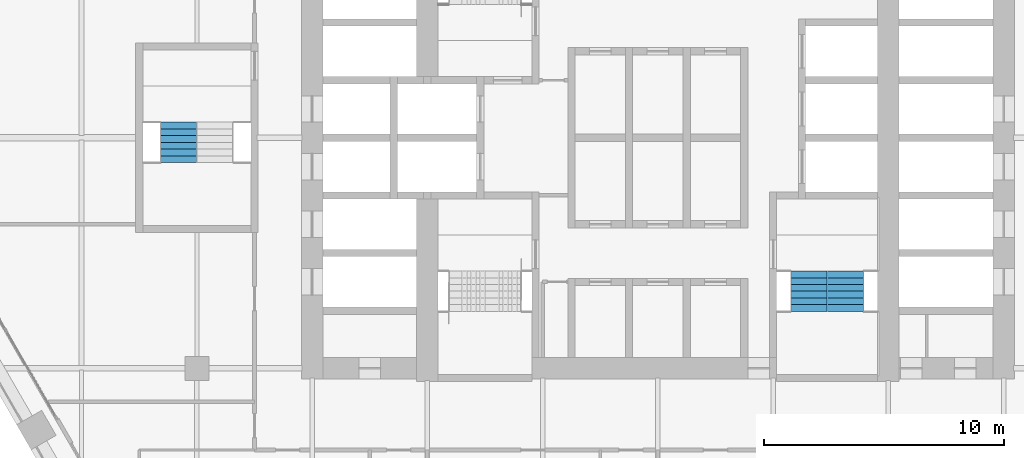
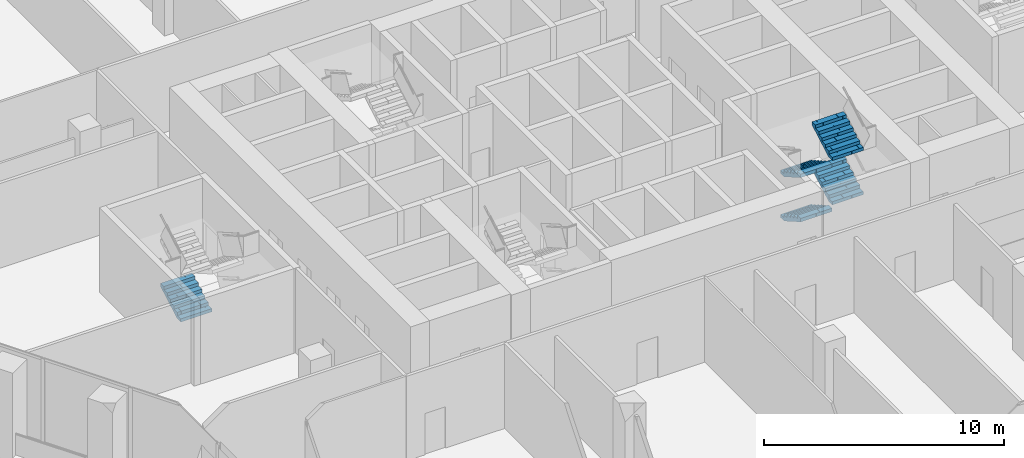
# One storey, part 19 of 25: 5 stair flights, 2 elements without a shape of their own.
"""IFC4 building model written with IfcOpenShell, lengths in metres."""

import ifcopenshell
import ifcopenshell.guid

model = None  # the IFC model being written
_history = None  # IfcOwnerHistory: only IFC2X3 demands one
_inside = {}  # id of a spatial element -> (the spatial element, [elements in it])
_under = {}  # id of a project, library or spatial element -> (it, [spatial elements below it])
_declared = {}  # id of a project -> (the project, [libraries it declares])
_typed = {}  # id of a type object -> (the type object, [elements of that type])
_made_of = {}  # id of a material, layer set ... -> (it, [elements and type objects made of it])


def new_model(schema):
    """Start an empty IFC model of exactly this schema.

    Asked for "IFC4X3", IfcOpenShell would pick the latest addendum, in which some entities
    have other attributes; the version numbers below select the first issue.
    IFC2X3 requires an IfcOwnerHistory on every rooted entity: one is made here for all.
    """
    global model, _history
    if schema == "IFC4X3":
        model = ifcopenshell.file(schema_version=(4, 3, 0, 0))
    else:
        model = ifcopenshell.file(schema=schema)
    _inside.clear()
    _under.clear()
    _declared.clear()
    _typed.clear()
    _made_of.clear()
    _history = None
    if model.schema == "IFC2X3":
        org = make("IfcOrganization", Name="unknown")
        user = make(
            "IfcPersonAndOrganization",
            ThePerson=make("IfcPerson", FamilyName="unknown"),
            TheOrganization=org,
        )
        app = make(
            "IfcApplication",
            ApplicationDeveloper=org,
            Version="unknown",
            ApplicationFullName="unknown",
            ApplicationIdentifier="unknown",
        )
        _history = make(
            "IfcOwnerHistory",
            OwningUser=user,
            OwningApplication=app,
            ChangeAction="ADDED",
            CreationDate=0,
        )
    return model


def make(cls, **values):
    """One entity of the class cls with the attributes given. An attribute that is None is left unset."""
    return model.create_entity(
        cls, **{name: value for name, value in values.items() if value is not None}
    )


def rooted(cls, **values):
    """An entity with a GlobalId (a new one), such as an element, a storey or a relation."""
    return make(cls, GlobalId=ifcopenshell.guid.new(), OwnerHistory=_history, **values)


def si_unit(unit_type, name, prefix=None):
    """IfcSIUnit, for example si_unit("LENGTHUNIT", "METRE", prefix="MILLI")."""
    return make("IfcSIUnit", UnitType=unit_type, Prefix=prefix, Name=name)


def assignment(units):
    """IfcUnitAssignment: the units of a project."""
    return None if units is None else make("IfcUnitAssignment", Units=units)


def point(xyz):
    """IfcCartesianPoint."""
    return None if xyz is None else make("IfcCartesianPoint", Coordinates=xyz)


def direction(xyz):
    """IfcDirection."""
    return None if xyz is None else make("IfcDirection", DirectionRatios=xyz)


def frame(location, z_axis=None, x_axis=None):
    """IfcAxis2Placement3D, a coordinate frame: its origin and axes. An axis left out is left unset."""
    return make(
        "IfcAxis2Placement3D",
        Location=point(location),
        Axis=direction(z_axis),
        RefDirection=direction(x_axis),
    )


def origin():
    """The frame at (0, 0, 0) with its axes left unset."""
    return frame((0.0, 0.0, 0.0))


def place(relative_to, where):
    """IfcLocalPlacement: puts the frame where relative to a parent placement (None: the world)."""
    return make(
        "IfcLocalPlacement", PlacementRelTo=relative_to, RelativePlacement=where
    )


def context(
    kind, dimensions, precision=None, world=None, true_north=None, identifier=None
):
    """IfcGeometricRepresentationContext, for example the 3D "Model" context."""
    return make(
        "IfcGeometricRepresentationContext",
        ContextIdentifier=identifier,
        ContextType=kind,
        CoordinateSpaceDimension=dimensions,
        Precision=precision,
        WorldCoordinateSystem=world,
        TrueNorth=true_north,
    )


def subcontext(parent, identifier, kind, view, scale=None):
    """IfcGeometricRepresentationSubContext, for example "Body" below "Model"."""
    return make(
        "IfcGeometricRepresentationSubContext",
        ContextIdentifier=identifier,
        ContextType=kind,
        ParentContext=parent,
        TargetScale=scale,
        TargetView=view,
    )


def project(units=None, contexts=None):
    """IfcProject with its units and contexts."""
    return rooted(
        "IfcProject",
        Name="project",
        RepresentationContexts=contexts,
        UnitsInContext=assignment(units),
    )


def spatial(cls, under=None, at=None, **own):
    """A site, building, storey or space (cls), placed at a placement, below another one or the project."""
    s = rooted(cls, ObjectPlacement=at, **own)
    if under is not None:
        _under.setdefault(under.id(), (under, []))[1].append(s)
    return s


def polyline(points):
    """IfcPolyline through the points."""
    return make("IfcPolyline", Points=[point(p) for p in points])


def outline(outer, holes=None, kind="AREA"):
    """IfcArbitraryClosedProfileDef: a profile drawn as a closed curve; with holes, ...WithVoids."""
    if holes is None:
        return make("IfcArbitraryClosedProfileDef", ProfileType=kind, OuterCurve=outer)
    return make(
        "IfcArbitraryProfileDefWithVoids",
        ProfileType=kind,
        OuterCurve=outer,
        InnerCurves=holes,
    )


def extrude(swept, where, along, depth):
    """IfcExtrudedAreaSolid: the profile swept, set in the frame where, extruded along a direction by depth."""
    return make(
        "IfcExtrudedAreaSolid",
        SweptArea=swept,
        Position=where,
        ExtrudedDirection=direction(along),
        Depth=depth,
    )


def shape(context_of_items, identifier, shape_type, items):
    """IfcShapeRepresentation: the items that make up one representation, for example the "Body"."""
    return make(
        "IfcShapeRepresentation",
        ContextOfItems=context_of_items,
        RepresentationIdentifier=identifier,
        RepresentationType=shape_type,
        Items=items,
    )


def material(Name=None, Category=None):
    """IfcMaterial."""
    return make("IfcMaterial", Name=Name, Category=Category)


def made_of(thing, what):
    """Note that an element or type object is made of a material, layer set ...; save() writes the relation."""
    if what is not None:
        _made_of.setdefault(what.id(), (what, []))[1].append(thing)
    return thing


def type_object(cls, material=None, **own):
    """A type object (cls), such as IfcWallType, which elements share."""
    return made_of(rooted(cls, **own), material)


def element(
    cls,
    number,
    at=None,
    inside=None,
    cuts=None,
    type_object=None,
    material=None,
    context=None,
    identifier="Body",
    shape_type=None,
    held_by="IfcProductDefinitionShape",
    body=None,
    shapes=None,
    **own,
):
    """One element of the class cls, such as IfcWall. Its Tag is "e" and its number.

    at: its placement. inside: the storey or other place that contains it. cuts: it is an
    opening in that element (IfcRelVoidsElement). A single representation is given by context,
    identifier, shape_type and body (its items); several are given by shapes. held_by: the class
    of the entity that holds the representations. save() writes the other relations.
    """
    e = rooted(cls, Tag="e%d" % number, ObjectPlacement=at, **own)
    if body is not None:
        shapes = [shape(context, identifier, shape_type, body)]
    if shapes is not None:
        e.Representation = make(held_by, Representations=shapes)
    if inside is not None:
        _inside.setdefault(inside.id(), (inside, []))[1].append(e)
    if cuts is not None:
        rooted(
            "IfcRelVoidsElement", RelatingBuildingElement=cuts, RelatedOpeningElement=e
        )
    if type_object is not None:
        _typed.setdefault(type_object.id(), (type_object, []))[1].append(e)
    return made_of(e, material)


def aggregate(whole, parts):
    """IfcRelAggregates: a whole, such as a stair, and the parts it consists of."""
    return rooted("IfcRelAggregates", RelatingObject=whole, RelatedObjects=parts)


def save(model, path):
    """Write the relations noted so far, then the file.

    IfcRelAggregates (storeys below a building ...), IfcRelContainedInSpatialStructure (elements
    in a storey), IfcRelDefinesByType, IfcRelAssociatesMaterial and IfcRelDeclares: one each for
    every whole, place, type object, material and project.
    """
    for whole, parts in _under.values():
        aggregate(whole, parts)
    for where, things in _inside.values():
        rooted(
            "IfcRelContainedInSpatialStructure",
            RelatedElements=things,
            RelatingStructure=where,
        )
    for kind, things in _typed.values():
        rooted("IfcRelDefinesByType", RelatedObjects=things, RelatingType=kind)
    for what, things in _made_of.values():
        rooted("IfcRelAssociatesMaterial", RelatedObjects=things, RelatingMaterial=what)
    for by, libraries in _declared.values():
        rooted("IfcRelDeclares", RelatingContext=by, RelatedDefinitions=libraries)
    model.write(path)


model = new_model("IFC4")

# Units and contexts
model_context = context("Model", 3, precision=1e-05, world=origin(), true_north=direction((0.0, 1.0)))
body_context = subcontext(model_context, "Body", "Model", "MODEL_VIEW")
ifc_project = project(units=[si_unit("LENGTHUNIT", "METRE"), si_unit("AREAUNIT", "SQUARE_METRE"), si_unit("VOLUMEUNIT", "CUBIC_METRE"), si_unit("PLANEANGLEUNIT", "RADIAN"), si_unit("MASSUNIT", "GRAM", prefix="KILO")], contexts=[model_context])

# Site, building, storey
site_placement = place(None, origin())
site = spatial("IfcSite", under=ifc_project, at=site_placement, CompositionType="ELEMENT")
building_placement = place(site_placement, origin())
building = spatial("IfcBuilding", under=site, at=building_placement, Name="Kolab Exchange Tower", CompositionType="ELEMENT")
storey_placement = place(building_placement, frame((0.0, 0.0, 91.39990234375)))
storey = spatial("IfcBuildingStorey", under=building, at=storey_placement, Name="L17", CompositionType="ELEMENT", Elevation=91.39990234375)

# Stair, stair flights
ifc_material = material(Name="Concrete C50/60", Category="concrete")
stair_type_1 = type_object("IfcStairType", Name="STAIR ST2 RISER 160.7", PredefinedType="DOUBLE_RETURN_STAIR", material=ifc_material)
stair_1_placement = place(storey_placement, origin())
stair_1 = element("IfcStair", 1, at=stair_1_placement, inside=storey, type_object=stair_type_1, Name="Stair 2", PredefinedType="DOUBLE_RETURN_STAIR")
stair_flight_type = type_object("IfcStairFlightType", Name="STAIR FLIGHT 1500 RISER 160.7", PredefinedType="STRAIGHT", material=ifc_material)
stair_flight_1_placement = place(storey_placement, frame((6.2900390625, -5.550048828125, 0.0), z_axis=(0.0, 0.0, 1.0), x_axis=(0.0, -1.0, 0.0)))
stair_flight_1 = element("IfcStairFlight", 2, at=stair_flight_1_placement, type_object=stair_flight_type, Name="ST2 flight 1", NumberOfRisers=7, NumberOfTreads=6, PredefinedType="STRAIGHT", RiserHeight=0.160714286, TreadLength=0.28, context=body_context, shape_type="SweptSolid", body=[
    extrude(outline(polyline([(0.0, 0.0), (0.0, 0.16064453125), (0.280029296875, 0.16064453125), (0.280029296875, 0.321533203125), (0.56005859375, 0.321533203125), (0.56005859375, 0.482177734375), (0.840087890625, 0.482177734375), (0.840087890625, 0.642822265625), (1.1201171875, 0.642822265625), (1.1201171875, 0.803466796875), (1.39990234375, 0.803466796875), (1.39990234375, 0.96435546875), (1.679931640625, 0.96435546875), (1.679931640625, 1.125), (1.679931640625, 0.79150390625), (0.301025390625, 0.0), (0.0, 0.0)])), frame((0.0, 0.75, 0.0), z_axis=(0.0, -1.0, 0.0), x_axis=(1.0, 0.0, 0.0)), (0.0, 0.0, 1.0), 0.185791015625),
    extrude(outline(polyline([(0.0, 0.0), (0.0, 0.16064453125), (0.280029296875, 0.16064453125), (0.280029296875, 0.321533203125), (0.56005859375, 0.321533203125), (0.56005859375, 0.482177734375), (0.840087890625, 0.482177734375), (0.840087890625, 0.642822265625), (1.1201171875, 0.642822265625), (1.1201171875, 0.803466796875), (1.39990234375, 0.803466796875), (1.39990234375, 0.96435546875), (1.679931640625, 0.96435546875), (1.679931640625, 1.125), (1.679931640625, 0.79150390625), (0.301025390625, 0.0), (0.0, 0.0)])), frame((0.0, 0.562255859375, 0.0), z_axis=(0.0, -1.0, 0.0), x_axis=(1.0, 0.0, 0.0)), (0.0, 0.0, 1.0), 0.185791015625),
    extrude(outline(polyline([(0.0, 0.0), (0.0, 0.16064453125), (0.280029296875, 0.16064453125), (0.280029296875, 0.321533203125), (0.56005859375, 0.321533203125), (0.56005859375, 0.482177734375), (0.840087890625, 0.482177734375), (0.840087890625, 0.642822265625), (1.1201171875, 0.642822265625), (1.1201171875, 0.803466796875), (1.39990234375, 0.803466796875), (1.39990234375, 0.96435546875), (1.679931640625, 0.96435546875), (1.679931640625, 1.125), (1.679931640625, 0.79150390625), (0.301025390625, 0.0), (0.0, 0.0)])), frame((0.0, 0.37451171875, 0.0), z_axis=(0.0, -1.0, 0.0), x_axis=(1.0, 0.0, 0.0)), (0.0, 0.0, 1.0), 0.185791015625),
    extrude(outline(polyline([(0.0, 0.0), (0.0, 0.16064453125), (0.280029296875, 0.16064453125), (0.280029296875, 0.321533203125), (0.56005859375, 0.321533203125), (0.56005859375, 0.482177734375), (0.840087890625, 0.482177734375), (0.840087890625, 0.642822265625), (1.1201171875, 0.642822265625), (1.1201171875, 0.803466796875), (1.39990234375, 0.803466796875), (1.39990234375, 0.96435546875), (1.679931640625, 0.96435546875), (1.679931640625, 1.125), (1.679931640625, 0.79150390625), (0.301025390625, 0.0), (0.0, 0.0)])), frame((0.0, 0.186767578125, 0.0), z_axis=(0.0, -1.0, 0.0), x_axis=(1.0, 0.0, 0.0)), (0.0, 0.0, 1.0), 0.185791015625),
    extrude(outline(polyline([(0.0, 0.0), (0.0, 0.16064453125), (0.280029296875, 0.16064453125), (0.280029296875, 0.321533203125), (0.56005859375, 0.321533203125), (0.56005859375, 0.482177734375), (0.840087890625, 0.482177734375), (0.840087890625, 0.642822265625), (1.1201171875, 0.642822265625), (1.1201171875, 0.803466796875), (1.39990234375, 0.803466796875), (1.39990234375, 0.96435546875), (1.679931640625, 0.96435546875), (1.679931640625, 1.125), (1.679931640625, 0.79150390625), (0.301025390625, 0.0), (0.0, 0.0)])), frame((0.0, -0.0009765625, 0.0), z_axis=(0.0, -1.0, 0.0), x_axis=(1.0, 0.0, 0.0)), (0.0, 0.0, 1.0), 0.185791015625),
    extrude(outline(polyline([(0.0, 0.0), (0.0, 0.16064453125), (0.280029296875, 0.16064453125), (0.280029296875, 0.321533203125), (0.56005859375, 0.321533203125), (0.56005859375, 0.482177734375), (0.840087890625, 0.482177734375), (0.840087890625, 0.642822265625), (1.1201171875, 0.642822265625), (1.1201171875, 0.803466796875), (1.39990234375, 0.803466796875), (1.39990234375, 0.96435546875), (1.679931640625, 0.96435546875), (1.679931640625, 1.125), (1.679931640625, 0.79150390625), (0.301025390625, 0.0), (0.0, 0.0)])), frame((0.0, -0.188720703125, 0.0), z_axis=(0.0, -1.0, 0.0), x_axis=(1.0, 0.0, 0.0)), (0.0, 0.0, 1.0), 0.185791015625),
    extrude(outline(polyline([(0.0, 0.0), (0.0, 0.16064453125), (0.280029296875, 0.16064453125), (0.280029296875, 0.321533203125), (0.56005859375, 0.321533203125), (0.56005859375, 0.482177734375), (0.840087890625, 0.482177734375), (0.840087890625, 0.642822265625), (1.1201171875, 0.642822265625), (1.1201171875, 0.803466796875), (1.39990234375, 0.803466796875), (1.39990234375, 0.96435546875), (1.679931640625, 0.96435546875), (1.679931640625, 1.125), (1.679931640625, 0.79150390625), (0.301025390625, 0.0), (0.0, 0.0)])), frame((0.0, -0.37646484375, 0.0), z_axis=(0.0, -1.0, 0.0), x_axis=(1.0, 0.0, 0.0)), (0.0, 0.0, 1.0), 0.185791015625),
    extrude(outline(polyline([(0.0, 0.0), (0.0, 0.16064453125), (0.280029296875, 0.16064453125), (0.280029296875, 0.321533203125), (0.56005859375, 0.321533203125), (0.56005859375, 0.482177734375), (0.840087890625, 0.482177734375), (0.840087890625, 0.642822265625), (1.1201171875, 0.642822265625), (1.1201171875, 0.803466796875), (1.39990234375, 0.803466796875), (1.39990234375, 0.96435546875), (1.679931640625, 0.96435546875), (1.679931640625, 1.125), (1.679931640625, 0.79150390625), (0.301025390625, 0.0), (0.0, 0.0)])), frame((0.0, -0.564208984375, 0.0), z_axis=(0.0, -1.0, 0.0), x_axis=(1.0, 0.0, 0.0)), (0.0, 0.0, 1.0), 0.185791015625),
])
stair_flight_2_placement = place(storey_placement, frame((7.81005859375, -7.22998046875, 1.125), z_axis=(0.0, 0.0, 1.0), x_axis=(0.0, 1.0, 0.0)))
stair_flight_2 = element("IfcStairFlight", 3, at=stair_flight_2_placement, type_object=stair_flight_type, Name="ST2 flight 2", NumberOfRisers=7, NumberOfTreads=6, PredefinedType="STRAIGHT", RiserHeight=0.160714286, TreadLength=0.28, context=body_context, shape_type="SweptSolid", body=[
    extrude(outline(polyline([(0.0, 0.0), (0.0, 0.16064453125), (0.280029296875, 0.16064453125), (0.280029296875, 0.321533203125), (0.56005859375, 0.321533203125), (0.56005859375, 0.482177734375), (0.840087890625, 0.482177734375), (0.840087890625, 0.642822265625), (1.1201171875, 0.642822265625), (1.1201171875, 0.803466796875), (1.39990234375, 0.803466796875), (1.39990234375, 0.96435546875), (1.679931640625, 0.96435546875), (1.679931640625, 1.125), (1.679931640625, 0.79150390625), (0.301025390625, 0.0), (0.0, 0.0)])), frame((0.0, 0.75, 0.0), z_axis=(0.0, -1.0, 0.0), x_axis=(1.0, 0.0, 0.0)), (0.0, 0.0, 1.0), 0.185791015625),
    extrude(outline(polyline([(0.0, 0.0), (0.0, 0.16064453125), (0.280029296875, 0.16064453125), (0.280029296875, 0.321533203125), (0.56005859375, 0.321533203125), (0.56005859375, 0.482177734375), (0.840087890625, 0.482177734375), (0.840087890625, 0.642822265625), (1.1201171875, 0.642822265625), (1.1201171875, 0.803466796875), (1.39990234375, 0.803466796875), (1.39990234375, 0.96435546875), (1.679931640625, 0.96435546875), (1.679931640625, 1.125), (1.679931640625, 0.79150390625), (0.301025390625, 0.0), (0.0, 0.0)])), frame((0.0, 0.562255859375, 0.0), z_axis=(0.0, -1.0, 0.0), x_axis=(1.0, 0.0, 0.0)), (0.0, 0.0, 1.0), 0.185791015625),
    extrude(outline(polyline([(0.0, 0.0), (0.0, 0.16064453125), (0.280029296875, 0.16064453125), (0.280029296875, 0.321533203125), (0.56005859375, 0.321533203125), (0.56005859375, 0.482177734375), (0.840087890625, 0.482177734375), (0.840087890625, 0.642822265625), (1.1201171875, 0.642822265625), (1.1201171875, 0.803466796875), (1.39990234375, 0.803466796875), (1.39990234375, 0.96435546875), (1.679931640625, 0.96435546875), (1.679931640625, 1.125), (1.679931640625, 0.79150390625), (0.301025390625, 0.0), (0.0, 0.0)])), frame((0.0, 0.37451171875, 0.0), z_axis=(0.0, -1.0, 0.0), x_axis=(1.0, 0.0, 0.0)), (0.0, 0.0, 1.0), 0.185791015625),
    extrude(outline(polyline([(0.0, 0.0), (0.0, 0.16064453125), (0.280029296875, 0.16064453125), (0.280029296875, 0.321533203125), (0.56005859375, 0.321533203125), (0.56005859375, 0.482177734375), (0.840087890625, 0.482177734375), (0.840087890625, 0.642822265625), (1.1201171875, 0.642822265625), (1.1201171875, 0.803466796875), (1.39990234375, 0.803466796875), (1.39990234375, 0.96435546875), (1.679931640625, 0.96435546875), (1.679931640625, 1.125), (1.679931640625, 0.79150390625), (0.301025390625, 0.0), (0.0, 0.0)])), frame((0.0, 0.186767578125, 0.0), z_axis=(0.0, -1.0, 0.0), x_axis=(1.0, 0.0, 0.0)), (0.0, 0.0, 1.0), 0.185791015625),
    extrude(outline(polyline([(0.0, 0.0), (0.0, 0.16064453125), (0.280029296875, 0.16064453125), (0.280029296875, 0.321533203125), (0.56005859375, 0.321533203125), (0.56005859375, 0.482177734375), (0.840087890625, 0.482177734375), (0.840087890625, 0.642822265625), (1.1201171875, 0.642822265625), (1.1201171875, 0.803466796875), (1.39990234375, 0.803466796875), (1.39990234375, 0.96435546875), (1.679931640625, 0.96435546875), (1.679931640625, 1.125), (1.679931640625, 0.79150390625), (0.301025390625, 0.0), (0.0, 0.0)])), frame((0.0, -0.0009765625, 0.0), z_axis=(0.0, -1.0, 0.0), x_axis=(1.0, 0.0, 0.0)), (0.0, 0.0, 1.0), 0.185791015625),
    extrude(outline(polyline([(0.0, 0.0), (0.0, 0.16064453125), (0.280029296875, 0.16064453125), (0.280029296875, 0.321533203125), (0.56005859375, 0.321533203125), (0.56005859375, 0.482177734375), (0.840087890625, 0.482177734375), (0.840087890625, 0.642822265625), (1.1201171875, 0.642822265625), (1.1201171875, 0.803466796875), (1.39990234375, 0.803466796875), (1.39990234375, 0.96435546875), (1.679931640625, 0.96435546875), (1.679931640625, 1.125), (1.679931640625, 0.79150390625), (0.301025390625, 0.0), (0.0, 0.0)])), frame((0.0, -0.188720703125, 0.0), z_axis=(0.0, -1.0, 0.0), x_axis=(1.0, 0.0, 0.0)), (0.0, 0.0, 1.0), 0.185791015625),
    extrude(outline(polyline([(0.0, 0.0), (0.0, 0.16064453125), (0.280029296875, 0.16064453125), (0.280029296875, 0.321533203125), (0.56005859375, 0.321533203125), (0.56005859375, 0.482177734375), (0.840087890625, 0.482177734375), (0.840087890625, 0.642822265625), (1.1201171875, 0.642822265625), (1.1201171875, 0.803466796875), (1.39990234375, 0.803466796875), (1.39990234375, 0.96435546875), (1.679931640625, 0.96435546875), (1.679931640625, 1.125), (1.679931640625, 0.79150390625), (0.301025390625, 0.0), (0.0, 0.0)])), frame((0.0, -0.37646484375, 0.0), z_axis=(0.0, -1.0, 0.0), x_axis=(1.0, 0.0, 0.0)), (0.0, 0.0, 1.0), 0.185791015625),
    extrude(outline(polyline([(0.0, 0.0), (0.0, 0.16064453125), (0.280029296875, 0.16064453125), (0.280029296875, 0.321533203125), (0.56005859375, 0.321533203125), (0.56005859375, 0.482177734375), (0.840087890625, 0.482177734375), (0.840087890625, 0.642822265625), (1.1201171875, 0.642822265625), (1.1201171875, 0.803466796875), (1.39990234375, 0.803466796875), (1.39990234375, 0.96435546875), (1.679931640625, 0.96435546875), (1.679931640625, 1.125), (1.679931640625, 0.79150390625), (0.301025390625, 0.0), (0.0, 0.0)])), frame((0.0, -0.564208984375, 0.0), z_axis=(0.0, -1.0, 0.0), x_axis=(1.0, 0.0, 0.0)), (0.0, 0.0, 1.0), 0.185791015625),
])
stair_flight_3_placement = place(storey_placement, frame((6.2900390625, -5.550048828125, 2.25), z_axis=(0.0, 0.0, 1.0), x_axis=(0.0, -1.0, 0.0)))
stair_flight_3 = element("IfcStairFlight", 4, at=stair_flight_3_placement, type_object=stair_flight_type, Name="ST2 flight 3", NumberOfRisers=7, NumberOfTreads=6, PredefinedType="STRAIGHT", RiserHeight=0.160714286, TreadLength=0.28, context=body_context, shape_type="SweptSolid", body=[
    extrude(outline(polyline([(0.0, 0.0), (0.0, 0.16064453125), (0.280029296875, 0.16064453125), (0.280029296875, 0.321533203125), (0.56005859375, 0.321533203125), (0.56005859375, 0.482177734375), (0.840087890625, 0.482177734375), (0.840087890625, 0.642822265625), (1.1201171875, 0.642822265625), (1.1201171875, 0.803466796875), (1.39990234375, 0.803466796875), (1.39990234375, 0.96435546875), (1.679931640625, 0.96435546875), (1.679931640625, 1.125), (1.679931640625, 0.79150390625), (0.301025390625, 0.0), (0.0, 0.0)])), frame((0.0, 0.75, 0.0), z_axis=(0.0, -1.0, 0.0), x_axis=(1.0, 0.0, 0.0)), (0.0, 0.0, 1.0), 0.185791015625),
    extrude(outline(polyline([(0.0, 0.0), (0.0, 0.16064453125), (0.280029296875, 0.16064453125), (0.280029296875, 0.321533203125), (0.56005859375, 0.321533203125), (0.56005859375, 0.482177734375), (0.840087890625, 0.482177734375), (0.840087890625, 0.642822265625), (1.1201171875, 0.642822265625), (1.1201171875, 0.803466796875), (1.39990234375, 0.803466796875), (1.39990234375, 0.96435546875), (1.679931640625, 0.96435546875), (1.679931640625, 1.125), (1.679931640625, 0.79150390625), (0.301025390625, 0.0), (0.0, 0.0)])), frame((0.0, 0.562255859375, 0.0), z_axis=(0.0, -1.0, 0.0), x_axis=(1.0, 0.0, 0.0)), (0.0, 0.0, 1.0), 0.185791015625),
    extrude(outline(polyline([(0.0, 0.0), (0.0, 0.16064453125), (0.280029296875, 0.16064453125), (0.280029296875, 0.321533203125), (0.56005859375, 0.321533203125), (0.56005859375, 0.482177734375), (0.840087890625, 0.482177734375), (0.840087890625, 0.642822265625), (1.1201171875, 0.642822265625), (1.1201171875, 0.803466796875), (1.39990234375, 0.803466796875), (1.39990234375, 0.96435546875), (1.679931640625, 0.96435546875), (1.679931640625, 1.125), (1.679931640625, 0.79150390625), (0.301025390625, 0.0), (0.0, 0.0)])), frame((0.0, 0.37451171875, 0.0), z_axis=(0.0, -1.0, 0.0), x_axis=(1.0, 0.0, 0.0)), (0.0, 0.0, 1.0), 0.185791015625),
    extrude(outline(polyline([(0.0, 0.0), (0.0, 0.16064453125), (0.280029296875, 0.16064453125), (0.280029296875, 0.321533203125), (0.56005859375, 0.321533203125), (0.56005859375, 0.482177734375), (0.840087890625, 0.482177734375), (0.840087890625, 0.642822265625), (1.1201171875, 0.642822265625), (1.1201171875, 0.803466796875), (1.39990234375, 0.803466796875), (1.39990234375, 0.96435546875), (1.679931640625, 0.96435546875), (1.679931640625, 1.125), (1.679931640625, 0.79150390625), (0.301025390625, 0.0), (0.0, 0.0)])), frame((0.0, 0.186767578125, 0.0), z_axis=(0.0, -1.0, 0.0), x_axis=(1.0, 0.0, 0.0)), (0.0, 0.0, 1.0), 0.185791015625),
    extrude(outline(polyline([(0.0, 0.0), (0.0, 0.16064453125), (0.280029296875, 0.16064453125), (0.280029296875, 0.321533203125), (0.56005859375, 0.321533203125), (0.56005859375, 0.482177734375), (0.840087890625, 0.482177734375), (0.840087890625, 0.642822265625), (1.1201171875, 0.642822265625), (1.1201171875, 0.803466796875), (1.39990234375, 0.803466796875), (1.39990234375, 0.96435546875), (1.679931640625, 0.96435546875), (1.679931640625, 1.125), (1.679931640625, 0.79150390625), (0.301025390625, 0.0), (0.0, 0.0)])), frame((0.0, -0.0009765625, 0.0), z_axis=(0.0, -1.0, 0.0), x_axis=(1.0, 0.0, 0.0)), (0.0, 0.0, 1.0), 0.185791015625),
    extrude(outline(polyline([(0.0, 0.0), (0.0, 0.16064453125), (0.280029296875, 0.16064453125), (0.280029296875, 0.321533203125), (0.56005859375, 0.321533203125), (0.56005859375, 0.482177734375), (0.840087890625, 0.482177734375), (0.840087890625, 0.642822265625), (1.1201171875, 0.642822265625), (1.1201171875, 0.803466796875), (1.39990234375, 0.803466796875), (1.39990234375, 0.96435546875), (1.679931640625, 0.96435546875), (1.679931640625, 1.125), (1.679931640625, 0.79150390625), (0.301025390625, 0.0), (0.0, 0.0)])), frame((0.0, -0.188720703125, 0.0), z_axis=(0.0, -1.0, 0.0), x_axis=(1.0, 0.0, 0.0)), (0.0, 0.0, 1.0), 0.185791015625),
    extrude(outline(polyline([(0.0, 0.0), (0.0, 0.16064453125), (0.280029296875, 0.16064453125), (0.280029296875, 0.321533203125), (0.56005859375, 0.321533203125), (0.56005859375, 0.482177734375), (0.840087890625, 0.482177734375), (0.840087890625, 0.642822265625), (1.1201171875, 0.642822265625), (1.1201171875, 0.803466796875), (1.39990234375, 0.803466796875), (1.39990234375, 0.96435546875), (1.679931640625, 0.96435546875), (1.679931640625, 1.125), (1.679931640625, 0.79150390625), (0.301025390625, 0.0), (0.0, 0.0)])), frame((0.0, -0.37646484375, 0.0), z_axis=(0.0, -1.0, 0.0), x_axis=(1.0, 0.0, 0.0)), (0.0, 0.0, 1.0), 0.185791015625),
    extrude(outline(polyline([(0.0, 0.0), (0.0, 0.16064453125), (0.280029296875, 0.16064453125), (0.280029296875, 0.321533203125), (0.56005859375, 0.321533203125), (0.56005859375, 0.482177734375), (0.840087890625, 0.482177734375), (0.840087890625, 0.642822265625), (1.1201171875, 0.642822265625), (1.1201171875, 0.803466796875), (1.39990234375, 0.803466796875), (1.39990234375, 0.96435546875), (1.679931640625, 0.96435546875), (1.679931640625, 1.125), (1.679931640625, 0.79150390625), (0.301025390625, 0.0), (0.0, 0.0)])), frame((0.0, -0.564208984375, 0.0), z_axis=(0.0, -1.0, 0.0), x_axis=(1.0, 0.0, 0.0)), (0.0, 0.0, 1.0), 0.185791015625),
])
stair_flight_4_placement = place(storey_placement, frame((7.81005859375, -7.22998046875, 3.375), z_axis=(0.0, 0.0, 1.0), x_axis=(0.0, 1.0, 0.0)))
stair_flight_4 = element("IfcStairFlight", 5, at=stair_flight_4_placement, type_object=stair_flight_type, Name="ST2 flight 4", NumberOfRisers=7, NumberOfTreads=6, PredefinedType="STRAIGHT", RiserHeight=0.160714286, TreadLength=0.28, context=body_context, shape_type="SweptSolid", body=[
    extrude(outline(polyline([(0.0, 0.0), (0.0, 0.16064453125), (0.280029296875, 0.16064453125), (0.280029296875, 0.321533203125), (0.56005859375, 0.321533203125), (0.56005859375, 0.482177734375), (0.840087890625, 0.482177734375), (0.840087890625, 0.642822265625), (1.1201171875, 0.642822265625), (1.1201171875, 0.803466796875), (1.39990234375, 0.803466796875), (1.39990234375, 0.96435546875), (1.679931640625, 0.96435546875), (1.679931640625, 1.125), (1.679931640625, 0.79150390625), (0.301025390625, 0.0), (0.0, 0.0)])), frame((0.0, 0.75, 0.0), z_axis=(0.0, -1.0, 0.0), x_axis=(1.0, 0.0, 0.0)), (0.0, 0.0, 1.0), 0.185791015625),
    extrude(outline(polyline([(0.0, 0.0), (0.0, 0.16064453125), (0.280029296875, 0.16064453125), (0.280029296875, 0.321533203125), (0.56005859375, 0.321533203125), (0.56005859375, 0.482177734375), (0.840087890625, 0.482177734375), (0.840087890625, 0.642822265625), (1.1201171875, 0.642822265625), (1.1201171875, 0.803466796875), (1.39990234375, 0.803466796875), (1.39990234375, 0.96435546875), (1.679931640625, 0.96435546875), (1.679931640625, 1.125), (1.679931640625, 0.79150390625), (0.301025390625, 0.0), (0.0, 0.0)])), frame((0.0, 0.562255859375, 0.0), z_axis=(0.0, -1.0, 0.0), x_axis=(1.0, 0.0, 0.0)), (0.0, 0.0, 1.0), 0.185791015625),
    extrude(outline(polyline([(0.0, 0.0), (0.0, 0.16064453125), (0.280029296875, 0.16064453125), (0.280029296875, 0.321533203125), (0.56005859375, 0.321533203125), (0.56005859375, 0.482177734375), (0.840087890625, 0.482177734375), (0.840087890625, 0.642822265625), (1.1201171875, 0.642822265625), (1.1201171875, 0.803466796875), (1.39990234375, 0.803466796875), (1.39990234375, 0.96435546875), (1.679931640625, 0.96435546875), (1.679931640625, 1.125), (1.679931640625, 0.79150390625), (0.301025390625, 0.0), (0.0, 0.0)])), frame((0.0, 0.37451171875, 0.0), z_axis=(0.0, -1.0, 0.0), x_axis=(1.0, 0.0, 0.0)), (0.0, 0.0, 1.0), 0.185791015625),
    extrude(outline(polyline([(0.0, 0.0), (0.0, 0.16064453125), (0.280029296875, 0.16064453125), (0.280029296875, 0.321533203125), (0.56005859375, 0.321533203125), (0.56005859375, 0.482177734375), (0.840087890625, 0.482177734375), (0.840087890625, 0.642822265625), (1.1201171875, 0.642822265625), (1.1201171875, 0.803466796875), (1.39990234375, 0.803466796875), (1.39990234375, 0.96435546875), (1.679931640625, 0.96435546875), (1.679931640625, 1.125), (1.679931640625, 0.79150390625), (0.301025390625, 0.0), (0.0, 0.0)])), frame((0.0, 0.186767578125, 0.0), z_axis=(0.0, -1.0, 0.0), x_axis=(1.0, 0.0, 0.0)), (0.0, 0.0, 1.0), 0.185791015625),
    extrude(outline(polyline([(0.0, 0.0), (0.0, 0.16064453125), (0.280029296875, 0.16064453125), (0.280029296875, 0.321533203125), (0.56005859375, 0.321533203125), (0.56005859375, 0.482177734375), (0.840087890625, 0.482177734375), (0.840087890625, 0.642822265625), (1.1201171875, 0.642822265625), (1.1201171875, 0.803466796875), (1.39990234375, 0.803466796875), (1.39990234375, 0.96435546875), (1.679931640625, 0.96435546875), (1.679931640625, 1.125), (1.679931640625, 0.79150390625), (0.301025390625, 0.0), (0.0, 0.0)])), frame((0.0, -0.0009765625, 0.0), z_axis=(0.0, -1.0, 0.0), x_axis=(1.0, 0.0, 0.0)), (0.0, 0.0, 1.0), 0.185791015625),
    extrude(outline(polyline([(0.0, 0.0), (0.0, 0.16064453125), (0.280029296875, 0.16064453125), (0.280029296875, 0.321533203125), (0.56005859375, 0.321533203125), (0.56005859375, 0.482177734375), (0.840087890625, 0.482177734375), (0.840087890625, 0.642822265625), (1.1201171875, 0.642822265625), (1.1201171875, 0.803466796875), (1.39990234375, 0.803466796875), (1.39990234375, 0.96435546875), (1.679931640625, 0.96435546875), (1.679931640625, 1.125), (1.679931640625, 0.79150390625), (0.301025390625, 0.0), (0.0, 0.0)])), frame((0.0, -0.188720703125, 0.0), z_axis=(0.0, -1.0, 0.0), x_axis=(1.0, 0.0, 0.0)), (0.0, 0.0, 1.0), 0.185791015625),
    extrude(outline(polyline([(0.0, 0.0), (0.0, 0.16064453125), (0.280029296875, 0.16064453125), (0.280029296875, 0.321533203125), (0.56005859375, 0.321533203125), (0.56005859375, 0.482177734375), (0.840087890625, 0.482177734375), (0.840087890625, 0.642822265625), (1.1201171875, 0.642822265625), (1.1201171875, 0.803466796875), (1.39990234375, 0.803466796875), (1.39990234375, 0.96435546875), (1.679931640625, 0.96435546875), (1.679931640625, 1.125), (1.679931640625, 0.79150390625), (0.301025390625, 0.0), (0.0, 0.0)])), frame((0.0, -0.37646484375, 0.0), z_axis=(0.0, -1.0, 0.0), x_axis=(1.0, 0.0, 0.0)), (0.0, 0.0, 1.0), 0.185791015625),
    extrude(outline(polyline([(0.0, 0.0), (0.0, 0.16064453125), (0.280029296875, 0.16064453125), (0.280029296875, 0.321533203125), (0.56005859375, 0.321533203125), (0.56005859375, 0.482177734375), (0.840087890625, 0.482177734375), (0.840087890625, 0.642822265625), (1.1201171875, 0.642822265625), (1.1201171875, 0.803466796875), (1.39990234375, 0.803466796875), (1.39990234375, 0.96435546875), (1.679931640625, 0.96435546875), (1.679931640625, 1.125), (1.679931640625, 0.79150390625), (0.301025390625, 0.0), (0.0, 0.0)])), frame((0.0, -0.564208984375, 0.0), z_axis=(0.0, -1.0, 0.0), x_axis=(1.0, 0.0, 0.0)), (0.0, 0.0, 1.0), 0.185791015625),
])
aggregate(stair_1, [stair_flight_1, stair_flight_2, stair_flight_3, stair_flight_4])

# Stair, stair flight
stair_type_2 = type_object("IfcStairType", Name="STAIR ST5 RISER 160.7", PredefinedType="DOUBLE_RETURN_STAIR", material=ifc_material)
stair_2_placement = place(storey_placement, origin())
stair_2 = element("IfcStair", 6, at=stair_2_placement, inside=storey, type_object=stair_type_2, Name="Stair 5", PredefinedType="DOUBLE_RETURN_STAIR")
stair_flight_5_placement = place(storey_placement, frame((-19.9599609375, -1.030029296875, 1.125), z_axis=(0.0, 0.0, 1.0), x_axis=(0.0, 1.0, 0.0)))
stair_flight_5 = element("IfcStairFlight", 7, at=stair_flight_5_placement, type_object=stair_flight_type, Name="ST5 flight 2", NumberOfRisers=7, NumberOfTreads=6, PredefinedType="STRAIGHT", RiserHeight=0.160714286, TreadLength=0.28, context=body_context, shape_type="SweptSolid", body=[
    extrude(outline(polyline([(0.0, 0.0), (0.0, 0.16064453125), (0.280029296875, 0.16064453125), (0.280029296875, 0.321533203125), (0.56005859375, 0.321533203125), (0.56005859375, 0.482177734375), (0.840087890625, 0.482177734375), (0.840087890625, 0.642822265625), (1.1201171875, 0.642822265625), (1.1201171875, 0.803466796875), (1.39990234375, 0.803466796875), (1.39990234375, 0.96435546875), (1.679931640625, 0.96435546875), (1.679931640625, 1.125), (1.679931640625, 0.79150390625), (0.301025390625, 0.0), (0.0, 0.0)])), frame((0.0, 0.75, 0.0), z_axis=(0.0, -1.0, 0.0), x_axis=(1.0, 0.0, 0.0)), (0.0, 0.0, 1.0), 0.185791015625),
    extrude(outline(polyline([(0.0, 0.0), (0.0, 0.16064453125), (0.280029296875, 0.16064453125), (0.280029296875, 0.321533203125), (0.56005859375, 0.321533203125), (0.56005859375, 0.482177734375), (0.840087890625, 0.482177734375), (0.840087890625, 0.642822265625), (1.1201171875, 0.642822265625), (1.1201171875, 0.803466796875), (1.39990234375, 0.803466796875), (1.39990234375, 0.96435546875), (1.679931640625, 0.96435546875), (1.679931640625, 1.125), (1.679931640625, 0.79150390625), (0.301025390625, 0.0), (0.0, 0.0)])), frame((0.0, 0.562255859375, 0.0), z_axis=(0.0, -1.0, 0.0), x_axis=(1.0, 0.0, 0.0)), (0.0, 0.0, 1.0), 0.185791015625),
    extrude(outline(polyline([(0.0, 0.0), (0.0, 0.16064453125), (0.280029296875, 0.16064453125), (0.280029296875, 0.321533203125), (0.56005859375, 0.321533203125), (0.56005859375, 0.482177734375), (0.840087890625, 0.482177734375), (0.840087890625, 0.642822265625), (1.1201171875, 0.642822265625), (1.1201171875, 0.803466796875), (1.39990234375, 0.803466796875), (1.39990234375, 0.96435546875), (1.679931640625, 0.96435546875), (1.679931640625, 1.125), (1.679931640625, 0.79150390625), (0.301025390625, 0.0), (0.0, 0.0)])), frame((0.0, 0.37451171875, 0.0), z_axis=(0.0, -1.0, 0.0), x_axis=(1.0, 0.0, 0.0)), (0.0, 0.0, 1.0), 0.185791015625),
    extrude(outline(polyline([(0.0, 0.0), (0.0, 0.16064453125), (0.280029296875, 0.16064453125), (0.280029296875, 0.321533203125), (0.56005859375, 0.321533203125), (0.56005859375, 0.482177734375), (0.840087890625, 0.482177734375), (0.840087890625, 0.642822265625), (1.1201171875, 0.642822265625), (1.1201171875, 0.803466796875), (1.39990234375, 0.803466796875), (1.39990234375, 0.96435546875), (1.679931640625, 0.96435546875), (1.679931640625, 1.125), (1.679931640625, 0.79150390625), (0.301025390625, 0.0), (0.0, 0.0)])), frame((0.0, 0.186767578125, 0.0), z_axis=(0.0, -1.0, 0.0), x_axis=(1.0, 0.0, 0.0)), (0.0, 0.0, 1.0), 0.185791015625),
    extrude(outline(polyline([(0.0, 0.0), (0.0, 0.16064453125), (0.280029296875, 0.16064453125), (0.280029296875, 0.321533203125), (0.56005859375, 0.321533203125), (0.56005859375, 0.482177734375), (0.840087890625, 0.482177734375), (0.840087890625, 0.642822265625), (1.1201171875, 0.642822265625), (1.1201171875, 0.803466796875), (1.39990234375, 0.803466796875), (1.39990234375, 0.96435546875), (1.679931640625, 0.96435546875), (1.679931640625, 1.125), (1.679931640625, 0.79150390625), (0.301025390625, 0.0), (0.0, 0.0)])), frame((0.0, -0.0009765625, 0.0), z_axis=(0.0, -1.0, 0.0), x_axis=(1.0, 0.0, 0.0)), (0.0, 0.0, 1.0), 0.185791015625),
    extrude(outline(polyline([(0.0, 0.0), (0.0, 0.16064453125), (0.280029296875, 0.16064453125), (0.280029296875, 0.321533203125), (0.56005859375, 0.321533203125), (0.56005859375, 0.482177734375), (0.840087890625, 0.482177734375), (0.840087890625, 0.642822265625), (1.1201171875, 0.642822265625), (1.1201171875, 0.803466796875), (1.39990234375, 0.803466796875), (1.39990234375, 0.96435546875), (1.679931640625, 0.96435546875), (1.679931640625, 1.125), (1.679931640625, 0.79150390625), (0.301025390625, 0.0), (0.0, 0.0)])), frame((0.0, -0.188720703125, 0.0), z_axis=(0.0, -1.0, 0.0), x_axis=(1.0, 0.0, 0.0)), (0.0, 0.0, 1.0), 0.185791015625),
    extrude(outline(polyline([(0.0, 0.0), (0.0, 0.16064453125), (0.280029296875, 0.16064453125), (0.280029296875, 0.321533203125), (0.56005859375, 0.321533203125), (0.56005859375, 0.482177734375), (0.840087890625, 0.482177734375), (0.840087890625, 0.642822265625), (1.1201171875, 0.642822265625), (1.1201171875, 0.803466796875), (1.39990234375, 0.803466796875), (1.39990234375, 0.96435546875), (1.679931640625, 0.96435546875), (1.679931640625, 1.125), (1.679931640625, 0.79150390625), (0.301025390625, 0.0), (0.0, 0.0)])), frame((0.0, -0.37646484375, 0.0), z_axis=(0.0, -1.0, 0.0), x_axis=(1.0, 0.0, 0.0)), (0.0, 0.0, 1.0), 0.185791015625),
    extrude(outline(polyline([(0.0, 0.0), (0.0, 0.16064453125), (0.280029296875, 0.16064453125), (0.280029296875, 0.321533203125), (0.56005859375, 0.321533203125), (0.56005859375, 0.482177734375), (0.840087890625, 0.482177734375), (0.840087890625, 0.642822265625), (1.1201171875, 0.642822265625), (1.1201171875, 0.803466796875), (1.39990234375, 0.803466796875), (1.39990234375, 0.96435546875), (1.679931640625, 0.96435546875), (1.679931640625, 1.125), (1.679931640625, 0.79150390625), (0.301025390625, 0.0), (0.0, 0.0)])), frame((0.0, -0.564208984375, 0.0), z_axis=(0.0, -1.0, 0.0), x_axis=(1.0, 0.0, 0.0)), (0.0, 0.0, 1.0), 0.185791015625),
])
aggregate(stair_2, [stair_flight_5])

save(model, "model.ifc")
